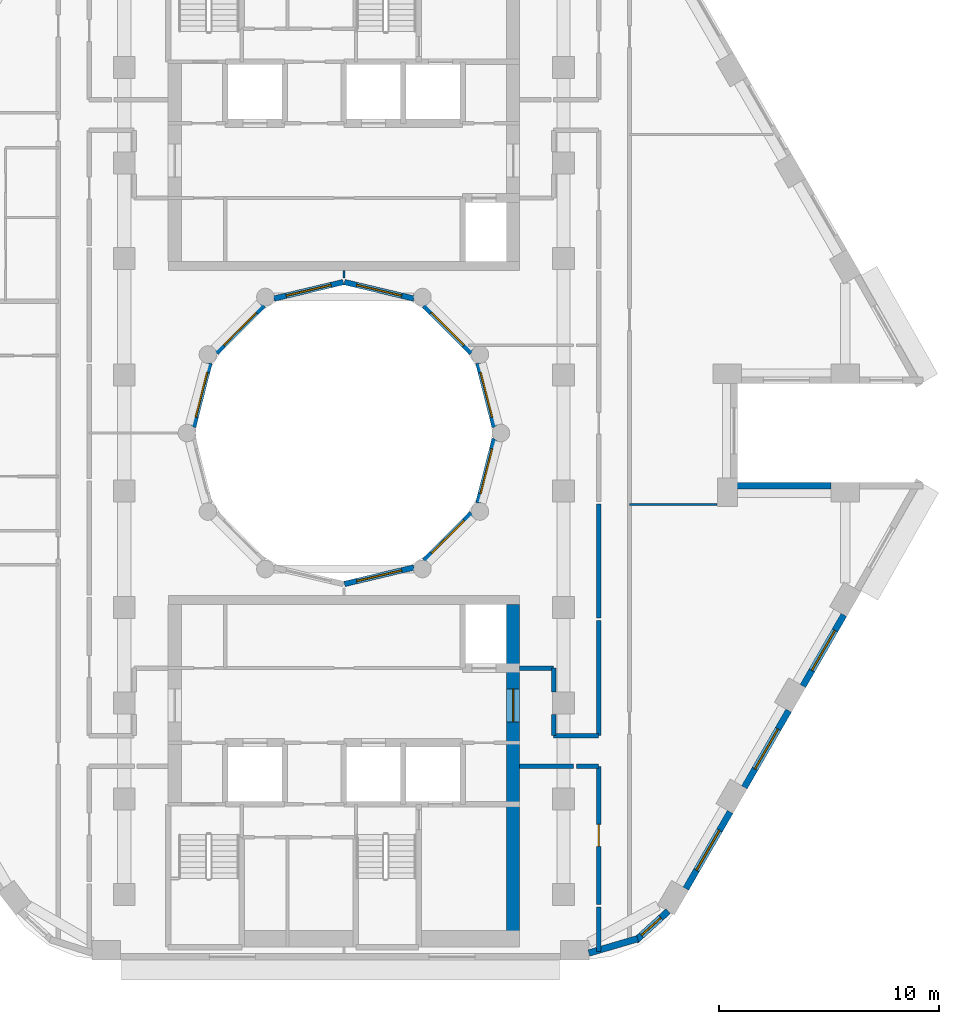
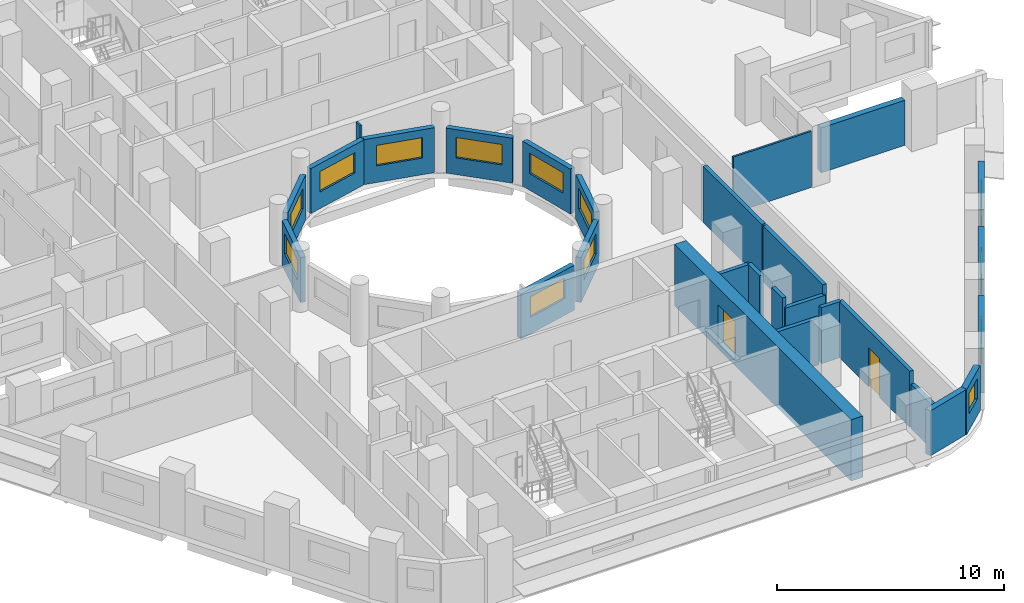
# One storey, part 5 of 13: 28 walls, 13 windows, 2 doors, 15 openings.
"""IFC4 building model written with IfcOpenShell, lengths in metres."""

from ifc_helpers import new_model, si_unit, direction, frame, frame_2d, origin, place, context, subcontext, project, spatial, rectangle, extrude, material, layer, layer_set, type_object, element, fill, save


model = new_model("IFC4")

# Units and contexts
model_context = context("Model", 3, precision=1e-05, world=origin(), true_north=direction((0.0, 1.0)))
body_context = subcontext(model_context, "Body", "Model", "MODEL_VIEW")
ifc_project = project(units=[si_unit("LENGTHUNIT", "METRE"), si_unit("AREAUNIT", "SQUARE_METRE"), si_unit("VOLUMEUNIT", "CUBIC_METRE"), si_unit("PLANEANGLEUNIT", "RADIAN"), si_unit("MASSUNIT", "GRAM", prefix="KILO")], contexts=[model_context])

# Site, building, storey
site_placement = place(None, origin())
site = spatial("IfcSite", under=ifc_project, at=site_placement, CompositionType="ELEMENT")
building_placement = place(site_placement, origin())
building = spatial("IfcBuilding", under=site, at=building_placement, Name="Nakaniwa Court", CompositionType="ELEMENT")
storey_placement = place(building_placement, frame((0.0, 0.0, 133.800048828125)))
storey = spatial("IfcBuildingStorey", under=building, at=storey_placement, Name="L34", CompositionType="ELEMENT", Elevation=133.800048828125)

# Wall
ifc_material_1 = material(Name="Acoustic double stud partition")
ifc_layer_1 = layer(ifc_material_1, 0.199951171875)
ifc_layer_set_1 = layer_set([ifc_layer_1], Name="Acoustic double stud partition")
wall_type_1 = type_object("IfcWallType", Name="Acoustic double stud partition 200", PredefinedType="PARTITIONING", material=ifc_layer_set_1)
wall_1_placement = place(storey_placement, frame((91.60009765625, 56.40087890625, 0.0), z_axis=(0.0, 0.0, 1.0), x_axis=(0.0, 1.0, 0.0)))
element("IfcWall", 1, at=wall_1_placement, inside=storey, type_object=wall_type_1, Name="Partition PW-065", PredefinedType="PARTITIONING", context=body_context, shape_type="SweptSolid", body=[
    extrude(rectangle(XDim=2.02197265625, YDim=0.199951171875, at=frame_2d((1.010986328125, 0.0))), origin(), (0.0, 0.0, 1.0), 2.405029296875),
])

# Wall, opening, door
wall_2_placement = place(storey_placement, frame((91.60009765625, 58.537109375, 0.0), z_axis=(0.0, 0.0, 1.0), x_axis=(0.0, 1.0, 0.0)))
wall_2 = element("IfcWall", 2, at=wall_2_placement, inside=storey, type_object=wall_type_1, Name="Partition PW-066", PredefinedType="PARTITIONING", context=body_context, shape_type="SweptSolid", body=[
    extrude(rectangle(XDim=6.287841796875, YDim=0.199951171875, at=frame_2d((3.14404296875, 0.0))), origin(), (0.0, 0.0, 1.0), 3.02490234375),
])
opening_1_placement = place(wall_2_placement, frame((2.64501953125, 0.0, 0.0)))
opening_1 = element("IfcOpeningElement", 3, at=opening_1_placement, cuts=wall_2, Name="Opening D-02-01", PredefinedType="OPENING", context=body_context, shape_type="SweptSolid", body=[
    extrude(rectangle(XDim=1.0, YDim=2.10009765625, at=frame_2d((0.5, 1.050048828125))), frame((0.0, 0.10986328125, 0.0), z_axis=(0.0, -1.0, 0.0), x_axis=(1.0, 0.0, 0.0)), (0.0, 0.0, 1.0), 0.219970703125),
])
ifc_material_2 = material(Name="Solid core timber door set, black veneer", Category="wood")
door_type_1 = type_object("IfcDoorType", Name="Internal door 1000", OperationType="NOTDEFINED", PredefinedType="DOOR", material=ifc_material_2)
door_1_placement = place(opening_1_placement, origin())
door_1 = element("IfcDoor", 4, at=door_1_placement, inside=storey, type_object=door_type_1, Name="Door D-02-01 L34-021", OperationType="SINGLE_SWING_RIGHT", OverallHeight=2.10009765625, OverallWidth=1.0, PredefinedType="DOOR", context=body_context, shape_type="SweptSolid", body=[
    extrude(rectangle(XDim=1.0, YDim=2.10009765625, at=frame_2d((0.5, 1.050048828125))), frame((0.0, 0.02490234375, 0.0), z_axis=(0.0, -1.0, 0.0), x_axis=(1.0, 0.0, 0.0)), (0.0, 0.0, 1.0), 0.050048828125),
])
fill(opening_1, door_1)

# Walls
wall_3_placement = place(storey_placement, frame((91.60009765625, 66.22509765625, 0.0), z_axis=(0.0, 0.0, 1.0), x_axis=(0.0, 1.0, 0.0)))
element("IfcWall", 5, at=wall_3_placement, inside=storey, type_object=wall_type_1, Name="Partition PW-067", PredefinedType="PARTITIONING", context=body_context, shape_type="SweptSolid", body=[
    extrude(rectangle(XDim=5.247802734375, YDim=0.199951171875, at=frame_2d((2.6240234375, 0.0))), origin(), (0.0, 0.0, 1.0), 3.02490234375),
])
wall_4_placement = place(storey_placement, frame((91.60009765625, 71.587158203125, 0.0), z_axis=(0.0, 0.0, 1.0), x_axis=(0.0, 1.0, 0.0)))
element("IfcWall", 6, at=wall_4_placement, inside=storey, type_object=wall_type_1, Name="Partition PW-068", PredefinedType="PARTITIONING", context=body_context, shape_type="SweptSolid", body=[
    extrude(rectangle(XDim=5.185546875, YDim=0.199951171875, at=frame_2d((2.5927734375, 0.0))), origin(), (0.0, 0.0, 1.0), 3.02490234375),
])
wall_5_placement = place(storey_placement, frame((88.0, 64.824951171875, 0.0), z_axis=(0.0, 0.0, 1.0), x_axis=(1.0, 0.0, 0.0)))
element("IfcWall", 7, at=wall_5_placement, inside=storey, type_object=wall_type_1, Name="Partition PW-075", PredefinedType="PARTITIONING", context=body_context, shape_type="SweptSolid", body=[
    extrude(rectangle(XDim=2.462890625, YDim=0.199951171875, at=frame_2d((1.2314453125, 0.0))), origin(), (0.0, 0.0, 1.0), 2.5048828125),
])
wall_6_placement = place(storey_placement, frame((90.5771484375, 64.824951171875, 0.0), z_axis=(0.0, 0.0, 1.0), x_axis=(1.0, 0.0, 0.0)))
element("IfcWall", 8, at=wall_6_placement, inside=storey, type_object=wall_type_1, Name="Partition PW-076", PredefinedType="PARTITIONING", context=body_context, shape_type="SweptSolid", body=[
    extrude(rectangle(XDim=1.02294921875, YDim=0.199951171875, at=frame_2d((0.511474609375, 0.0))), origin(), (0.0, 0.0, 1.0), 3.02490234375),
])
wall_7_placement = place(storey_placement, frame((88.0, 69.300048828125, 0.0), z_axis=(0.0, 0.0, 1.0), x_axis=(1.0, 0.0, 0.0)))
element("IfcWall", 9, at=wall_7_placement, inside=storey, type_object=wall_type_1, Name="Partition PW-079", PredefinedType="PARTITIONING", context=body_context, shape_type="SweptSolid", body=[
    extrude(rectangle(XDim=1.550048828125, YDim=0.199951171875, at=frame_2d((0.77490234375, 0.0))), origin(), (0.0, 0.0, 1.0), 3.02490234375),
])
wall_8_placement = place(storey_placement, frame((89.550048828125, 66.22509765625, 0.0), z_axis=(0.0, 0.0, 1.0), x_axis=(0.0, 1.0, 0.0)))
element("IfcWall", 10, at=wall_8_placement, inside=storey, type_object=wall_type_1, Name="Partition PW-080", PredefinedType="PARTITIONING", context=body_context, shape_type="SweptSolid", body=[
    extrude(rectangle(XDim=0.957763671875, YDim=0.199951171875, at=frame_2d((0.47900390625, 0.0))), origin(), (0.0, 0.0, 1.0), 3.02490234375),
])
wall_9_placement = place(storey_placement, frame((89.550048828125, 68.21728515625, 0.0), z_axis=(0.0, 0.0, 1.0), x_axis=(0.0, 1.0, 0.0)))
element("IfcWall", 11, at=wall_9_placement, inside=storey, type_object=wall_type_1, Name="Partition PW-081", PredefinedType="PARTITIONING", context=body_context, shape_type="SweptSolid", body=[
    extrude(rectangle(XDim=1.082763671875, YDim=0.199951171875, at=frame_2d((0.54150390625, 0.0))), origin(), (0.0, 0.0, 1.0), 3.02490234375),
])
wall_10_placement = place(storey_placement, frame((89.550048828125, 66.22509765625, 0.0), z_axis=(0.0, 0.0, 1.0), x_axis=(1.0, 0.0, 0.0)))
element("IfcWall", 12, at=wall_10_placement, inside=storey, type_object=wall_type_1, Name="Partition PW-085", PredefinedType="PARTITIONING", context=body_context, shape_type="SweptSolid", body=[
    extrude(rectangle(XDim=2.050048828125, YDim=0.199951171875, at=frame_2d((1.02490234375, 0.0))), origin(), (0.0, 0.0, 1.0), 2.5048828125),
])
ifc_material_3 = material(Name="Charcoal ceramic cladding")
ifc_layer_2 = layer(ifc_material_3, 0.02, Name="Ceramic cladding")
ifc_material_4 = material(Name="Ventilated air cavity")
ifc_layer_3 = layer(ifc_material_4, 0.04, ventilated=True, Name="Ventilated cavity")
ifc_material_5 = material(Name="Mineral wool insulation")
ifc_layer_4 = layer(ifc_material_5, 0.1, Name="Insulation")
ifc_material_6 = material(Name="Cement bonded sheathing board")
ifc_layer_5 = layer(ifc_material_6, 0.012, Name="Sheathing")
ifc_material_7 = material(Name="Cold-formed galvanised stud frame with mineral wool infill")
ifc_layer_6 = layer(ifc_material_7, 0.1, Name="Stud frame")
ifc_material_8 = material(Name="Fire-rated gypsum plasterboard lining")
ifc_layer_7 = layer(ifc_material_8, 0.028, Name="Lining")
ifc_layer_set_2 = layer_set([ifc_layer_2, ifc_layer_3, ifc_layer_4, ifc_layer_5, ifc_layer_6, ifc_layer_7], Name="Charcoal ceramic faced external wall system")
wall_type_2 = type_object("IfcWallType", Name="Black ceramic faced external wall 300", PredefinedType="SOLIDWALL", material=ifc_layer_set_2)
wall_11_placement = place(storey_placement, frame((91.1533203125, 56.328125, 0.0), z_axis=(0.0, 0.0, 1.0), x_axis=(0.959473072336, 0.281800325517, 0.0)))
element("IfcWall", 13, at=wall_11_placement, inside=storey, type_object=wall_type_2, Name="L34 external wall 27", PredefinedType="SOLIDWALL", context=body_context, shape_type="SweptSolid", body=[
    extrude(rectangle(XDim=2.3115234375, YDim=0.300048828125, at=frame_2d((1.15576171875, 0.0))), origin(), (0.0, 0.0, 1.0), 2.425048828125),
])

# Wall, opening, window
wall_12_placement = place(storey_placement, frame((93.2783203125, 56.890380859375, 0.0), z_axis=(0.0, 0.0, 1.0), x_axis=(0.740652597499, 0.671888182526, 0.0)))
wall_12 = element("IfcWall", 14, at=wall_12_placement, inside=storey, type_object=wall_type_2, Name="L34 external wall 28", PredefinedType="SOLIDWALL", context=body_context, shape_type="SweptSolid", body=[
    extrude(rectangle(XDim=1.998779296875, YDim=0.300048828125, at=frame_2d((0.99951171875, 0.0))), origin(), (0.0, 0.0, 1.0), 2.425048828125),
])
opening_2_placement = place(wall_12_placement, frame((0.359619140625, 0.0, 0.89990234375)))
opening_2 = element("IfcOpeningElement", 15, at=opening_2_placement, cuts=wall_12, Name="Opening W6.29", PredefinedType="OPENING", context=body_context, shape_type="SweptSolid", body=[
    extrude(rectangle(XDim=1.199951171875, YDim=1.10009765625, at=frame_2d((0.60009765625, 0.550048828125))), frame((0.0, 0.159912109375, 0.0), z_axis=(0.0, -1.0, 0.0), x_axis=(1.0, 0.0, 0.0)), (0.0, 0.0, 1.0), 0.320068359375),
])
ifc_material_9 = material(Name="Black anodised aluminium frame with dark low-E laminated double glazing", Category="aluminium")
window_type_1 = type_object("IfcWindowType", Name="Dark glass window 1200x1100 sill 900", PartitioningType="SINGLE_PANEL", PredefinedType="WINDOW", material=ifc_material_9)
window_1_placement = place(opening_2_placement, origin())
window_1 = element("IfcWindow", 16, at=window_1_placement, inside=storey, type_object=window_type_1, Name="L34 habitable room window 28-0", OverallHeight=1.10009765625, OverallWidth=1.199951171875, PartitioningType="SINGLE_PANEL", PredefinedType="WINDOW", context=body_context, shape_type="SweptSolid", body=[
    extrude(rectangle(XDim=1.199951171875, YDim=1.10009765625, at=frame_2d((0.60009765625, 0.550048828125))), frame((0.0, 0.030029296875, 0.0), z_axis=(0.0, -1.0, 0.0), x_axis=(1.0, 0.0, 0.0)), (0.0, 0.0, 1.0), 0.06005859375),
])
fill(opening_2, window_1)

wall_13_placement = place(storey_placement, frame((95.565185546875, 59.260009765625, 0.0), z_axis=(0.0, 0.0, 1.0), x_axis=(0.500031546601, 0.86600718958, 0.0)))
wall_13 = element("IfcWall", 17, at=wall_13_placement, inside=storey, type_object=wall_type_2, Name="L34 external wall 29", PredefinedType="SOLIDWALL", context=body_context, shape_type="SweptSolid", body=[
    extrude(rectangle(XDim=4.033935546875, YDim=0.300048828125, at=frame_2d((2.01708984375, 0.0))), origin(), (0.0, 0.0, 1.0), 2.425048828125),
])
opening_3_placement = place(wall_13_placement, frame((0.967041015625, 0.0, 0.89990234375)))
opening_3 = element("IfcOpeningElement", 18, at=opening_3_placement, cuts=wall_13, Name="Opening W7.30", PredefinedType="OPENING", context=body_context, shape_type="SweptSolid", body=[
    extrude(rectangle(XDim=2.10009765625, YDim=1.10009765625, at=frame_2d((1.050048828125, 0.550048828125))), frame((0.0, 0.159912109375, 0.0), z_axis=(0.0, -1.0, 0.0), x_axis=(1.0, 0.0, 0.0)), (0.0, 0.0, 1.0), 0.320068359375),
])
window_type_2 = type_object("IfcWindowType", Name="Dark glass window 2100x1100 sill 900", PartitioningType="SINGLE_PANEL", PredefinedType="WINDOW", material=ifc_material_9)
window_2_placement = place(opening_3_placement, origin())
window_2 = element("IfcWindow", 19, at=window_2_placement, inside=storey, type_object=window_type_2, Name="L34 habitable room window 29-0", OverallHeight=1.10009765625, OverallWidth=2.10009765625, PartitioningType="SINGLE_PANEL", PredefinedType="WINDOW", context=body_context, shape_type="SweptSolid", body=[
    extrude(rectangle(XDim=2.10009765625, YDim=1.10009765625, at=frame_2d((1.050048828125, 0.550048828125))), frame((0.0, 0.030029296875, 0.0), z_axis=(0.0, -1.0, 0.0), x_axis=(1.0, 0.0, 0.0)), (0.0, 0.0, 1.0), 0.06005859375),
])
fill(opening_3, window_2)

wall_14_placement = place(storey_placement, frame((98.228271484375, 63.872314453125, 0.0), z_axis=(0.0, 0.0, 1.0), x_axis=(0.500031546601, 0.86600718958, 0.0)))
wall_14 = element("IfcWall", 20, at=wall_14_placement, inside=storey, type_object=wall_type_2, Name="L34 external wall 30", PredefinedType="SOLIDWALL", context=body_context, shape_type="SweptSolid", body=[
    extrude(rectangle(XDim=4.033935546875, YDim=0.300048828125, at=frame_2d((2.01708984375, 0.0))), origin(), (0.0, 0.0, 1.0), 2.425048828125),
])
opening_4_placement = place(wall_14_placement, frame((0.966796875, 0.0, 0.89990234375)))
opening_4 = element("IfcOpeningElement", 21, at=opening_4_placement, cuts=wall_14, Name="Opening W7.31", PredefinedType="OPENING", context=body_context, shape_type="SweptSolid", body=[
    extrude(rectangle(XDim=2.10009765625, YDim=1.10009765625, at=frame_2d((1.050048828125, 0.550048828125))), frame((0.0, 0.159912109375, 0.0), z_axis=(0.0, -1.0, 0.0), x_axis=(1.0, 0.0, 0.0)), (0.0, 0.0, 1.0), 0.320068359375),
])
window_3_placement = place(opening_4_placement, origin())
window_3 = element("IfcWindow", 22, at=window_3_placement, inside=storey, type_object=window_type_2, Name="L34 habitable room window 30-0", OverallHeight=1.10009765625, OverallWidth=2.10009765625, PartitioningType="SINGLE_PANEL", PredefinedType="WINDOW", context=body_context, shape_type="SweptSolid", body=[
    extrude(rectangle(XDim=2.10009765625, YDim=1.10009765625, at=frame_2d((1.050048828125, 0.550048828125))), frame((0.0, 0.030029296875, 0.0), z_axis=(0.0, -1.0, 0.0), x_axis=(1.0, 0.0, 0.0)), (0.0, 0.0, 1.0), 0.06005859375),
])
fill(opening_4, window_3)

wall_15_placement = place(storey_placement, frame((100.891357421875, 68.484619140625, 0.0), z_axis=(0.0, 0.0, 1.0), x_axis=(0.499933594891, 0.866063739398, 0.0)))
wall_15 = element("IfcWall", 23, at=wall_15_placement, inside=storey, type_object=wall_type_2, Name="L34 external wall 31", PredefinedType="SOLIDWALL", context=body_context, shape_type="SweptSolid", body=[
    extrude(rectangle(XDim=3.73681640625, YDim=0.300048828125, at=frame_2d((1.868408203125, 0.0))), origin(), (0.0, 0.0, 1.0), 2.425048828125),
])
opening_5_placement = place(wall_15_placement, frame((0.818359375, 0.0, 0.89990234375)))
opening_5 = element("IfcOpeningElement", 24, at=opening_5_placement, cuts=wall_15, Name="Opening W7.32", PredefinedType="OPENING", context=body_context, shape_type="SweptSolid", body=[
    extrude(rectangle(XDim=2.10009765625, YDim=1.10009765625, at=frame_2d((1.050048828125, 0.550048828125))), frame((0.0, 0.159912109375, 0.0), z_axis=(0.0, -1.0, 0.0), x_axis=(1.0, 0.0, 0.0)), (0.0, 0.0, 1.0), 0.320068359375),
])
window_4_placement = place(opening_5_placement, origin())
window_4 = element("IfcWindow", 25, at=window_4_placement, inside=storey, type_object=window_type_2, Name="L34 habitable room window 31-0", OverallHeight=1.10009765625, OverallWidth=2.10009765625, PartitioningType="SINGLE_PANEL", PredefinedType="WINDOW", context=body_context, shape_type="SweptSolid", body=[
    extrude(rectangle(XDim=2.10009765625, YDim=1.10009765625, at=frame_2d((1.050048828125, 0.550048828125))), frame((0.0, 0.030029296875, 0.0), z_axis=(0.0, -1.0, 0.0), x_axis=(1.0, 0.0, 0.0)), (0.0, 0.0, 1.0), 0.06005859375),
])
fill(opening_5, window_4)

# Wall
wall_16_placement = place(storey_placement, frame((102.177001953125, 77.60009765625, 0.0), z_axis=(0.0, 0.0, 1.0), x_axis=(-1.0, 0.0, 0.0)))
element("IfcWall", 26, at=wall_16_placement, inside=storey, type_object=wall_type_2, Name="L34 external wall 34", PredefinedType="SOLIDWALL", context=body_context, shape_type="SweptSolid", body=[
    extrude(rectangle(XDim=4.272705078125, YDim=0.300048828125, at=frame_2d((2.13623046875, 0.0))), origin(), (0.0, 0.0, 1.0), 2.425048828125),
])

# Wall, opening, window
ifc_layer_8 = layer(ifc_material_3, 0.02, Name="Ceramic cladding")
ifc_layer_9 = layer(ifc_material_4, 0.04, ventilated=True, Name="Ventilated cavity")
ifc_layer_10 = layer(ifc_material_5, 0.075, Name="Insulation")
ifc_layer_11 = layer(ifc_material_6, 0.012, Name="Sheathing")
ifc_layer_12 = layer(ifc_material_7, 0.075, Name="Stud frame")
ifc_layer_13 = layer(ifc_material_8, 0.028, Name="Lining")
ifc_layer_set_3 = layer_set([ifc_layer_8, ifc_layer_9, ifc_layer_10, ifc_layer_11, ifc_layer_12, ifc_layer_13], Name="Charcoal ceramic faced external wall system")
wall_type_3 = type_object("IfcWallType", Name="Charcoal ceramic faced well wall 250", PredefinedType="SOLIDWALL", material=ifc_layer_set_3)
wall_17_placement = place(storey_placement, frame((86.8603515625, 79.72998046875, 0.0), z_axis=(0.0, 0.0, 1.0), x_axis=(-0.247055971283, -0.969001211069, 0.0)))
wall_17 = element("IfcWall", 27, at=wall_17_placement, inside=storey, type_object=wall_type_3, Name="L34 external wall 36", PredefinedType="SOLIDWALL", context=body_context, shape_type="SweptSolid", body=[
    extrude(rectangle(XDim=3.010009765625, YDim=0.25, at=frame_2d((1.5048828125, 0.0))), origin(), (0.0, 0.0, 1.0), 2.425048828125),
])
opening_6_placement = place(wall_17_placement, frame((0.46875, 0.0, 0.89990234375)))
opening_6 = element("IfcOpeningElement", 28, at=opening_6_placement, cuts=wall_17, Name="Opening W7.35", PredefinedType="OPENING", context=body_context, shape_type="SweptSolid", body=[
    extrude(rectangle(XDim=2.10009765625, YDim=1.10009765625, at=frame_2d((1.050048828125, 0.550048828125))), frame((0.0, 0.135009765625, 0.0), z_axis=(0.0, -1.0, 0.0), x_axis=(1.0, 0.0, 0.0)), (0.0, 0.0, 1.0), 0.27001953125),
])
window_5_placement = place(opening_6_placement, origin())
window_5 = element("IfcWindow", 29, at=window_5_placement, inside=storey, type_object=window_type_2, Name="L34 habitable room window 36-0", OverallHeight=1.10009765625, OverallWidth=2.10009765625, PartitioningType="SINGLE_PANEL", PredefinedType="WINDOW", context=body_context, shape_type="SweptSolid", body=[
    extrude(rectangle(XDim=2.10009765625, YDim=1.10009765625, at=frame_2d((1.050048828125, 0.550048828125))), frame((0.0, 0.030029296875, 0.0), z_axis=(0.0, -1.0, 0.0), x_axis=(1.0, 0.0, 0.0)), (0.0, 0.0, 1.0), 0.06005859375),
])
fill(opening_6, window_5)

wall_18_placement = place(storey_placement, frame((85.8056640625, 76.339111328125, 0.0), z_axis=(0.0, 0.0, 1.0), x_axis=(-0.707106781187, -0.707106781187, 0.0)))
wall_18 = element("IfcWall", 30, at=wall_18_placement, inside=storey, type_object=wall_type_3, Name="L34 external wall 37", PredefinedType="SOLIDWALL", context=body_context, shape_type="SweptSolid", body=[
    extrude(rectangle(XDim=3.033203125, YDim=0.25, at=frame_2d((1.5166015625, 0.0))), origin(), (0.0, 0.0, 1.0), 2.425048828125),
])
opening_7_placement = place(wall_18_placement, frame((0.466552734375, 0.0, 0.89990234375)))
opening_7 = element("IfcOpeningElement", 31, at=opening_7_placement, cuts=wall_18, Name="Opening W7.36", PredefinedType="OPENING", context=body_context, shape_type="SweptSolid", body=[
    extrude(rectangle(XDim=2.10009765625, YDim=1.10009765625, at=frame_2d((1.050048828125, 0.550048828125))), frame((0.0, 0.135009765625, 0.0), z_axis=(0.0, -1.0, 0.0), x_axis=(1.0, 0.0, 0.0)), (0.0, 0.0, 1.0), 0.27001953125),
])
window_6_placement = place(opening_7_placement, origin())
window_6 = element("IfcWindow", 32, at=window_6_placement, inside=storey, type_object=window_type_2, Name="L34 habitable room window 37-0", OverallHeight=1.10009765625, OverallWidth=2.10009765625, PartitioningType="SINGLE_PANEL", PredefinedType="WINDOW", context=body_context, shape_type="SweptSolid", body=[
    extrude(rectangle(XDim=2.10009765625, YDim=1.10009765625, at=frame_2d((1.050048828125, 0.550048828125))), frame((0.0, 0.030029296875, 0.0), z_axis=(0.0, -1.0, 0.0), x_axis=(1.0, 0.0, 0.0)), (0.0, 0.0, 1.0), 0.06005859375),
])
fill(opening_7, window_6)

wall_19_placement = place(storey_placement, frame((83.186279296875, 73.880615234375, 0.0), z_axis=(0.0, 0.0, 1.0), x_axis=(-0.972773113459, -0.231759508395, 0.0)))
wall_19 = element("IfcWall", 33, at=wall_19_placement, inside=storey, type_object=wall_type_3, Name="L34 external wall 38", PredefinedType="SOLIDWALL", context=body_context, shape_type="SweptSolid", body=[
    extrude(rectangle(XDim=3.24560546875, YDim=0.25, at=frame_2d((1.622802734375, 0.0))), origin(), (0.0, 0.0, 1.0), 2.425048828125),
])
opening_8_placement = place(wall_19_placement, frame((0.57275390625, 0.0, 0.89990234375)))
opening_8 = element("IfcOpeningElement", 34, at=opening_8_placement, cuts=wall_19, Name="Opening W7.37", PredefinedType="OPENING", context=body_context, shape_type="SweptSolid", body=[
    extrude(rectangle(XDim=2.10009765625, YDim=1.10009765625, at=frame_2d((1.050048828125, 0.550048828125))), frame((0.0, 0.135009765625, 0.0), z_axis=(0.0, -1.0, 0.0), x_axis=(1.0, 0.0, 0.0)), (0.0, 0.0, 1.0), 0.27001953125),
])
window_7_placement = place(opening_8_placement, origin())
window_7 = element("IfcWindow", 35, at=window_7_placement, inside=storey, type_object=window_type_2, Name="L34 habitable room window 38-0", OverallHeight=1.10009765625, OverallWidth=2.10009765625, PartitioningType="SINGLE_PANEL", PredefinedType="WINDOW", context=body_context, shape_type="SweptSolid", body=[
    extrude(rectangle(XDim=2.10009765625, YDim=1.10009765625, at=frame_2d((1.050048828125, 0.550048828125))), frame((0.0, 0.030029296875, 0.0), z_axis=(0.0, -1.0, 0.0), x_axis=(1.0, 0.0, 0.0)), (0.0, 0.0, 1.0), 0.06005859375),
])
fill(opening_8, window_7)

wall_20_placement = place(storey_placement, frame((73.1396484375, 80.27001953125, 0.0), z_axis=(0.0, 0.0, 1.0), x_axis=(0.247055971283, 0.969001211069, 0.0)))
wall_20 = element("IfcWall", 36, at=wall_20_placement, inside=storey, type_object=wall_type_3, Name="L34 external wall 42", PredefinedType="SOLIDWALL", context=body_context, shape_type="SweptSolid", body=[
    extrude(rectangle(XDim=3.010009765625, YDim=0.25, at=frame_2d((1.5048828125, 0.0))), origin(), (0.0, 0.0, 1.0), 2.425048828125),
])
opening_9_placement = place(wall_20_placement, frame((0.46875, 0.0, 0.89990234375)))
opening_9 = element("IfcOpeningElement", 37, at=opening_9_placement, cuts=wall_20, Name="Opening W7.41", PredefinedType="OPENING", context=body_context, shape_type="SweptSolid", body=[
    extrude(rectangle(XDim=2.10009765625, YDim=1.10009765625, at=frame_2d((1.050048828125, 0.550048828125))), frame((0.0, 0.135009765625, 0.0), z_axis=(0.0, -1.0, 0.0), x_axis=(1.0, 0.0, 0.0)), (0.0, 0.0, 1.0), 0.27001953125),
])
window_8_placement = place(opening_9_placement, origin())
window_8 = element("IfcWindow", 38, at=window_8_placement, inside=storey, type_object=window_type_2, Name="L34 habitable room window 42-0", OverallHeight=1.10009765625, OverallWidth=2.10009765625, PartitioningType="SINGLE_PANEL", PredefinedType="WINDOW", context=body_context, shape_type="SweptSolid", body=[
    extrude(rectangle(XDim=2.10009765625, YDim=1.10009765625, at=frame_2d((1.050048828125, 0.550048828125))), frame((0.0, 0.030029296875, 0.0), z_axis=(0.0, -1.0, 0.0), x_axis=(1.0, 0.0, 0.0)), (0.0, 0.0, 1.0), 0.06005859375),
])
fill(opening_9, window_8)

wall_21_placement = place(storey_placement, frame((74.1943359375, 83.660888671875, 0.0), z_axis=(0.0, 0.0, 1.0), x_axis=(0.707106781187, 0.707106781187, 0.0)))
wall_21 = element("IfcWall", 39, at=wall_21_placement, inside=storey, type_object=wall_type_3, Name="L34 external wall 43", PredefinedType="SOLIDWALL", context=body_context, shape_type="SweptSolid", body=[
    extrude(rectangle(XDim=3.033203125, YDim=0.25, at=frame_2d((1.5166015625, 0.0))), origin(), (0.0, 0.0, 1.0), 2.425048828125),
])
opening_10_placement = place(wall_21_placement, frame((0.466552734375, 0.0, 0.89990234375)))
opening_10 = element("IfcOpeningElement", 40, at=opening_10_placement, cuts=wall_21, Name="Opening W7.42", PredefinedType="OPENING", context=body_context, shape_type="SweptSolid", body=[
    extrude(rectangle(XDim=2.10009765625, YDim=1.10009765625, at=frame_2d((1.050048828125, 0.550048828125))), frame((0.0, 0.135009765625, 0.0), z_axis=(0.0, -1.0, 0.0), x_axis=(1.0, 0.0, 0.0)), (0.0, 0.0, 1.0), 0.27001953125),
])
window_9_placement = place(opening_10_placement, origin())
window_9 = element("IfcWindow", 41, at=window_9_placement, inside=storey, type_object=window_type_2, Name="L34 habitable room window 43-0", OverallHeight=1.10009765625, OverallWidth=2.10009765625, PartitioningType="SINGLE_PANEL", PredefinedType="WINDOW", context=body_context, shape_type="SweptSolid", body=[
    extrude(rectangle(XDim=2.10009765625, YDim=1.10009765625, at=frame_2d((1.050048828125, 0.550048828125))), frame((0.0, 0.030029296875, 0.0), z_axis=(0.0, -1.0, 0.0), x_axis=(1.0, 0.0, 0.0)), (0.0, 0.0, 1.0), 0.06005859375),
])
fill(opening_10, window_9)

wall_22_placement = place(storey_placement, frame((76.813720703125, 86.119384765625, 0.0), z_axis=(0.0, 0.0, 1.0), x_axis=(0.972773113459, 0.231759508395, 0.0)))
wall_22 = element("IfcWall", 42, at=wall_22_placement, inside=storey, type_object=wall_type_3, Name="L34 external wall 44", PredefinedType="SOLIDWALL", context=body_context, shape_type="SweptSolid", body=[
    extrude(rectangle(XDim=3.24560546875, YDim=0.25, at=frame_2d((1.622802734375, 0.0))), origin(), (0.0, 0.0, 1.0), 2.425048828125),
])
opening_11_placement = place(wall_22_placement, frame((0.57275390625, 0.0, 0.89990234375)))
opening_11 = element("IfcOpeningElement", 43, at=opening_11_placement, cuts=wall_22, Name="Opening W7.43", PredefinedType="OPENING", context=body_context, shape_type="SweptSolid", body=[
    extrude(rectangle(XDim=2.10009765625, YDim=1.10009765625, at=frame_2d((1.050048828125, 0.550048828125))), frame((0.0, 0.135009765625, 0.0), z_axis=(0.0, -1.0, 0.0), x_axis=(1.0, 0.0, 0.0)), (0.0, 0.0, 1.0), 0.27001953125),
])
window_10_placement = place(opening_11_placement, origin())
window_10 = element("IfcWindow", 44, at=window_10_placement, inside=storey, type_object=window_type_2, Name="L34 habitable room window 44-0", OverallHeight=1.10009765625, OverallWidth=2.10009765625, PartitioningType="SINGLE_PANEL", PredefinedType="WINDOW", context=body_context, shape_type="SweptSolid", body=[
    extrude(rectangle(XDim=2.10009765625, YDim=1.10009765625, at=frame_2d((1.050048828125, 0.550048828125))), frame((0.0, 0.030029296875, 0.0), z_axis=(0.0, -1.0, 0.0), x_axis=(1.0, 0.0, 0.0)), (0.0, 0.0, 1.0), 0.06005859375),
])
fill(opening_11, window_10)

wall_23_placement = place(storey_placement, frame((80.029052734375, 86.87158203125, 0.0), z_axis=(0.0, 0.0, 1.0), x_axis=(0.972773113459, -0.231759508395, 0.0)))
wall_23 = element("IfcWall", 45, at=wall_23_placement, inside=storey, type_object=wall_type_3, Name="L34 external wall 45", PredefinedType="SOLIDWALL", context=body_context, shape_type="SweptSolid", body=[
    extrude(rectangle(XDim=3.24560546875, YDim=0.25, at=frame_2d((1.622802734375, 0.0))), origin(), (0.0, 0.0, 1.0), 2.425048828125),
])
opening_12_placement = place(wall_23_placement, frame((0.57275390625, 0.0, 0.89990234375)))
opening_12 = element("IfcOpeningElement", 46, at=opening_12_placement, cuts=wall_23, Name="Opening W7.44", PredefinedType="OPENING", context=body_context, shape_type="SweptSolid", body=[
    extrude(rectangle(XDim=2.10009765625, YDim=1.10009765625, at=frame_2d((1.050048828125, 0.550048828125))), frame((0.0, 0.135009765625, 0.0), z_axis=(0.0, -1.0, 0.0), x_axis=(1.0, 0.0, 0.0)), (0.0, 0.0, 1.0), 0.27001953125),
])
window_11_placement = place(opening_12_placement, origin())
window_11 = element("IfcWindow", 47, at=window_11_placement, inside=storey, type_object=window_type_2, Name="L34 habitable room window 45-0", OverallHeight=1.10009765625, OverallWidth=2.10009765625, PartitioningType="SINGLE_PANEL", PredefinedType="WINDOW", context=body_context, shape_type="SweptSolid", body=[
    extrude(rectangle(XDim=2.10009765625, YDim=1.10009765625, at=frame_2d((1.050048828125, 0.550048828125))), frame((0.0, 0.030029296875, 0.0), z_axis=(0.0, -1.0, 0.0), x_axis=(1.0, 0.0, 0.0)), (0.0, 0.0, 1.0), 0.06005859375),
])
fill(opening_12, window_11)

wall_24_placement = place(storey_placement, frame((83.660888671875, 85.8056640625, 0.0), z_axis=(0.0, 0.0, 1.0), x_axis=(0.707106781187, -0.707106781187, 0.0)))
wall_24 = element("IfcWall", 48, at=wall_24_placement, inside=storey, type_object=wall_type_3, Name="L34 external wall 46", PredefinedType="SOLIDWALL", context=body_context, shape_type="SweptSolid", body=[
    extrude(rectangle(XDim=3.033203125, YDim=0.25, at=frame_2d((1.5166015625, 0.0))), origin(), (0.0, 0.0, 1.0), 2.425048828125),
])
opening_13_placement = place(wall_24_placement, frame((0.452392578125, 0.0, 0.89990234375)))
opening_13 = element("IfcOpeningElement", 49, at=opening_13_placement, cuts=wall_24, Name="Opening W7.45", PredefinedType="OPENING", context=body_context, shape_type="SweptSolid", body=[
    extrude(rectangle(XDim=2.10009765625, YDim=1.10009765625, at=frame_2d((1.050048828125, 0.550048828125))), frame((0.0, 0.135009765625, 0.0), z_axis=(0.0, -1.0, 0.0), x_axis=(1.0, 0.0, 0.0)), (0.0, 0.0, 1.0), 0.27001953125),
])
window_12_placement = place(opening_13_placement, origin())
window_12 = element("IfcWindow", 50, at=window_12_placement, inside=storey, type_object=window_type_2, Name="L34 habitable room window 46-0", OverallHeight=1.10009765625, OverallWidth=2.10009765625, PartitioningType="SINGLE_PANEL", PredefinedType="WINDOW", context=body_context, shape_type="SweptSolid", body=[
    extrude(rectangle(XDim=2.10009765625, YDim=1.10009765625, at=frame_2d((1.050048828125, 0.550048828125))), frame((0.0, 0.030029296875, 0.0), z_axis=(0.0, -1.0, 0.0), x_axis=(1.0, 0.0, 0.0)), (0.0, 0.0, 1.0), 0.06005859375),
])
fill(opening_13, window_12)

wall_25_placement = place(storey_placement, frame((86.11669921875, 83.186767578125, 0.0), z_axis=(0.0, 0.0, 1.0), x_axis=(0.247055971283, -0.969001211069, 0.0)))
wall_25 = element("IfcWall", 51, at=wall_25_placement, inside=storey, type_object=wall_type_3, Name="L34 external wall 47", PredefinedType="SOLIDWALL", context=body_context, shape_type="SweptSolid", body=[
    extrude(rectangle(XDim=3.010009765625, YDim=0.25, at=frame_2d((1.5048828125, 0.0))), origin(), (0.0, 0.0, 1.0), 2.425048828125),
])
opening_14_placement = place(wall_25_placement, frame((0.441162109375, 0.0, 0.89990234375)))
opening_14 = element("IfcOpeningElement", 52, at=opening_14_placement, cuts=wall_25, Name="Opening W7.46", PredefinedType="OPENING", context=body_context, shape_type="SweptSolid", body=[
    extrude(rectangle(XDim=2.10009765625, YDim=1.10009765625, at=frame_2d((1.050048828125, 0.550048828125))), frame((0.0, 0.135009765625, 0.0), z_axis=(0.0, -1.0, 0.0), x_axis=(1.0, 0.0, 0.0)), (0.0, 0.0, 1.0), 0.27001953125),
])
window_13_placement = place(opening_14_placement, origin())
window_13 = element("IfcWindow", 53, at=window_13_placement, inside=storey, type_object=window_type_2, Name="L34 habitable room window 47-0", OverallHeight=1.10009765625, OverallWidth=2.10009765625, PartitioningType="SINGLE_PANEL", PredefinedType="WINDOW", context=body_context, shape_type="SweptSolid", body=[
    extrude(rectangle(XDim=2.10009765625, YDim=1.10009765625, at=frame_2d((1.050048828125, 0.550048828125))), frame((0.0, 0.030029296875, 0.0), z_axis=(0.0, -1.0, 0.0), x_axis=(1.0, 0.0, 0.0)), (0.0, 0.0, 1.0), 0.06005859375),
])
fill(opening_14, window_13)

# Wall, opening, door
ifc_material_10 = material(Name="Concrete C80/100", Category="concrete")
ifc_layer_14 = layer(ifc_material_10, 0.60009765625)
ifc_layer_set_4 = layer_set([ifc_layer_14], Name="Concrete C80/100")
wall_type_4 = type_object("IfcWallType", Name="Concrete core side wall 600 C80", PredefinedType="SHEAR", material=ifc_layer_set_4)
wall_26_placement = place(storey_placement, frame((87.699951171875, 72.199951171875, -0.275146484375), z_axis=(0.0, 0.0, 1.0), x_axis=(0.0, -1.0, 0.0)))
wall_26 = element("IfcWall", 54, at=wall_26_placement, inside=storey, type_object=wall_type_4, Name="Core wall SW-39", PredefinedType="SHEAR", context=body_context, shape_type="SweptSolid", body=[
    extrude(rectangle(XDim=15.599853515625, YDim=0.60009765625, at=frame_2d((7.7998046875, 0.0))), origin(), (0.0, 0.0, 1.0), 3.300048828125),
])
opening_15_placement = place(wall_26_placement, frame((3.85205078125, 0.0, 0.27490234375)))
opening_15 = element("IfcOpeningElement", 55, at=opening_15_placement, cuts=wall_26, Name="Opening D-07-03", PredefinedType="OPENING", context=body_context, shape_type="SweptSolid", body=[
    extrude(rectangle(XDim=1.5, YDim=2.10009765625, at=frame_2d((0.75, 1.050048828125))), frame((0.0, 0.31005859375, 0.0), z_axis=(0.0, -1.0, 0.0), x_axis=(1.0, 0.0, 0.0)), (0.0, 0.0, 1.0), 0.6201171875),
])
ifc_material_11 = material(Name="Glazed fire rated steel double door set", Category="steel")
door_type_2 = type_object("IfcDoorType", Name="Lobby double door 1500", OperationType="NOTDEFINED", PredefinedType="DOOR", material=ifc_material_11)
door_2_placement = place(opening_15_placement, origin())
door_2 = element("IfcDoor", 56, at=door_2_placement, inside=storey, type_object=door_type_2, Name="Door D-07-03 L34-045", OperationType="DOUBLE_DOOR_SINGLE_SWING", OverallHeight=2.10009765625, OverallWidth=1.5, PredefinedType="DOOR", context=body_context, shape_type="SweptSolid", body=[
    extrude(rectangle(XDim=1.5, YDim=2.10009765625, at=frame_2d((0.75, 1.050048828125))), frame((0.0, 0.02490234375, 0.0), z_axis=(0.0, -1.0, 0.0), x_axis=(1.0, 0.0, 0.0)), (0.0, 0.0, 1.0), 0.050048828125),
])
fill(opening_15, door_2)

# Walls
ifc_material_12 = material(Name="Single stud plasterboard partition")
ifc_layer_15 = layer(ifc_material_12, 0.10009765625)
ifc_layer_set_5 = layer_set([ifc_layer_15], Name="Single stud plasterboard partition")
wall_type_5 = type_object("IfcWallType", Name="Single stud plasterboard partition 100", PredefinedType="PARTITIONING", material=ifc_layer_set_5)
wall_27_placement = place(storey_placement, frame((80.0, 87.048095703125, 0.0), z_axis=(0.0, 0.0, 1.0), x_axis=(0.0, 1.0, 0.0)))
element("IfcWall", 57, at=wall_27_placement, inside=storey, type_object=wall_type_5, Name="Partition PW-110", PredefinedType="PARTITIONING", context=body_context, shape_type="SweptSolid", body=[
    extrude(rectangle(XDim=0.351806640625, YDim=0.10009765625, at=frame_2d((0.17578125, 0.0))), origin(), (0.0, 0.0, 1.0), 3.02490234375),
])
wall_28_placement = place(storey_placement, frame((93.0009765625, 76.75, 0.0), z_axis=(0.0, 0.0, 1.0), x_axis=(1.0, 0.0, 0.0)))
element("IfcWall", 58, at=wall_28_placement, inside=storey, type_object=wall_type_5, Name="Partition PW-112", PredefinedType="PARTITIONING", context=body_context, shape_type="SweptSolid", body=[
    extrude(rectangle(XDim=3.9873046875, YDim=0.10009765625, at=frame_2d((1.99365234375, 0.0))), origin(), (0.0, 0.0, 1.0), 3.02490234375),
])

save(model, "model.ifc")
